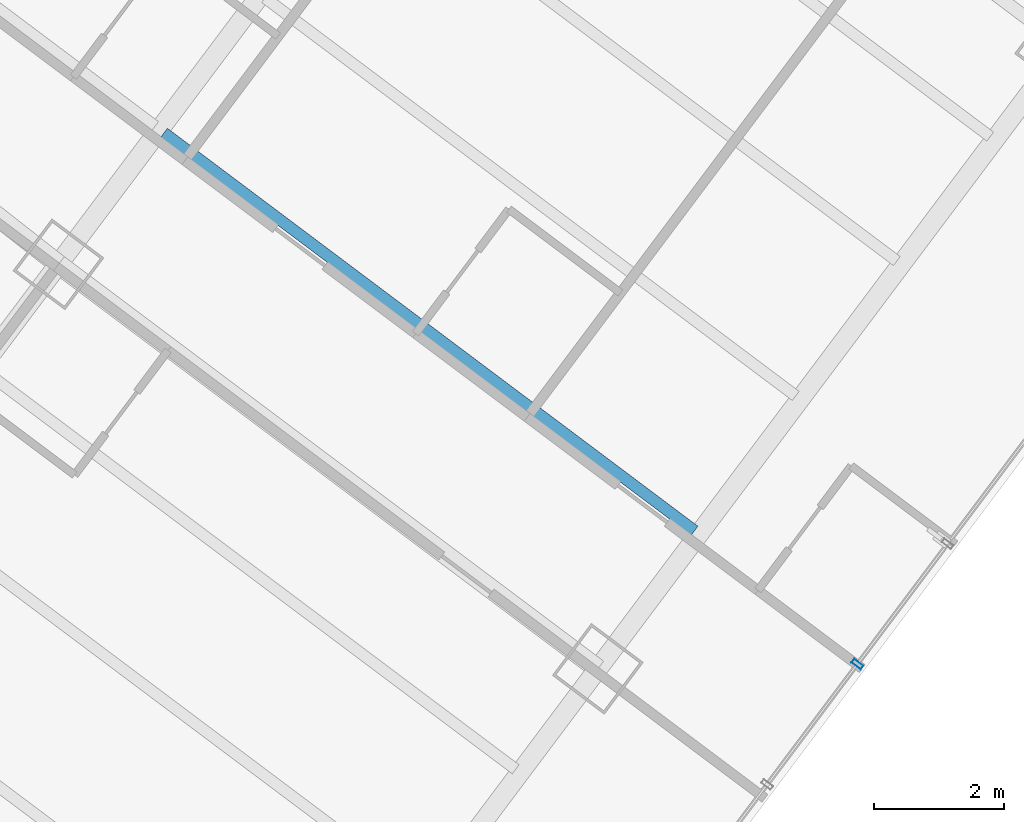
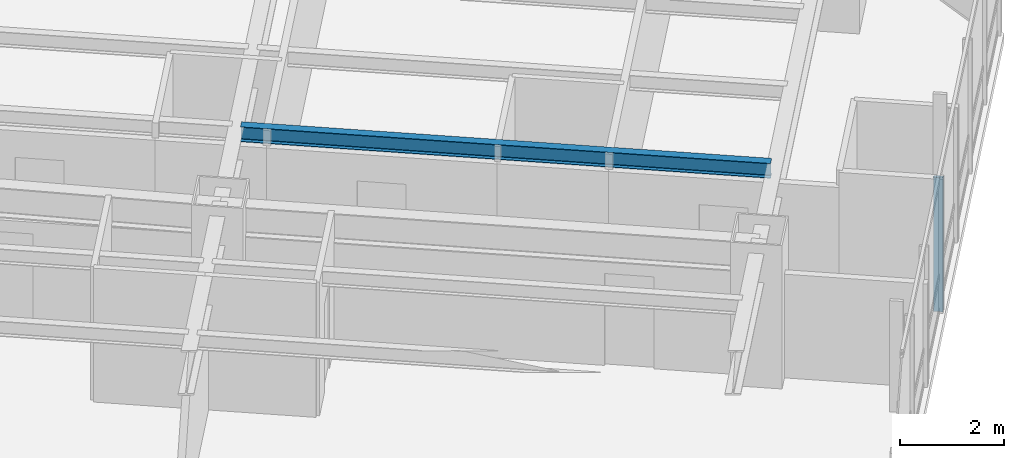
# One storey, part 10 of 37: 1 beam, 1 member, 1 element without a shape of its own.
"""IFC4 building model written with IfcOpenShell, lengths in metres."""

from ifc_helpers import new_model, si_unit, direction, frame, origin, origin_2d, place, context, subcontext, project, spatial, hollow_rectangle, i_section, extrude, material, layer, layer_set, material_profile, profile_set, type_object, element, aggregate, save


model = new_model("IFC4")

# Units and contexts
model_context = context("Model", 3, precision=1e-05, world=origin(), true_north=direction((0.0, 1.0)))
body_context = subcontext(model_context, "Body", "Model", "MODEL_VIEW")
ifc_project = project(units=[si_unit("LENGTHUNIT", "METRE"), si_unit("AREAUNIT", "SQUARE_METRE"), si_unit("VOLUMEUNIT", "CUBIC_METRE"), si_unit("PLANEANGLEUNIT", "RADIAN"), si_unit("MASSUNIT", "GRAM", prefix="KILO")], contexts=[model_context])

# Site, building, storey
site_placement = place(None, origin())
site = spatial("IfcSite", under=ifc_project, at=site_placement, CompositionType="ELEMENT")
building_placement = place(site_placement, origin())
building = spatial("IfcBuilding", under=site, at=building_placement, Name="Hatsunagi Terrace Concourse", CompositionType="ELEMENT")
storey_placement = place(building_placement, frame((0.0, 0.0, 39.949951171875)))
storey = spatial("IfcBuildingStorey", under=building, at=storey_placement, Name="L09", CompositionType="ELEMENT", Elevation=39.949951171875)

# Curtain wall, member
ifc_material_1 = material(Name="Anodised Aluminium Alloy 6063-T5", Category="aluminium")
ifc_layer = layer(ifc_material_1, 0.199951171875)
ifc_layer_set = layer_set([ifc_layer], Name="HotelFacade_CW02")
curtain_wall_type = type_object("IfcCurtainWallType", Name="HotelFacade_CW02", PredefinedType="NOTDEFINED", material=ifc_layer_set)
curtain_wall_placement = place(storey_placement, origin())
curtain_wall = element("IfcCurtainWall", 1, at=curtain_wall_placement, inside=storey, type_object=curtain_wall_type, Name="Unitised Curtain Wall CW-02 CW-L09-03", PredefinedType="NOTDEFINED")
ifc_material_2 = material(Name="Anodised Aluminium Alloy 6063-T5", Category="aluminium")
ifc_material_profile_1 = material_profile(ifc_material_2, hollow_rectangle(XDim=0.070068359375, YDim=0.179931640625, WallThickness=0.00390625, at=origin_2d()), Name="ALU-MUL-180x70x4")
ifc_profile_set_1 = profile_set([ifc_material_profile_1], Name="Anodised Aluminium Alloy 6063-T5")
member_type = type_object("IfcMemberType", Name="CurtainWallMullion_180x70", PredefinedType="MULLION", material=ifc_profile_set_1)
member_placement = place(storey_placement, frame((63.52392578125, 12.23193359375, 0.0), z_axis=(0.0, 0.0, 1.0), x_axis=(-0.599969314634, -0.800023013105, 0.0)))
member = element("IfcMember", 2, at=member_placement, type_object=member_type, Name="Curtain Wall Mullion MUL-02", PredefinedType="MULLION", context=body_context, shape_type="SweptSolid", body=[
    extrude(hollow_rectangle(XDim=0.070068359375, YDim=0.179931640625, WallThickness=0.00390625, at=origin_2d()), origin(), (0.0, 0.0, 1.0), 3.130126953125),
])
aggregate(curtain_wall, [member])

# Beam
ifc_material_3 = material(Name="Steel SN490B", Category="steel")
ifc_material_profile_2 = material_profile(ifc_material_3, i_section(OverallWidth=0.175048828125, OverallDepth=0.35009765625, WebThickness=0.007080078125, FlangeThickness=0.010986328125, FilletRadius=0.012939453125, at=origin_2d()), Name="H-350x175x7x11")
ifc_profile_set_2 = profile_set([ifc_material_profile_2], Name="Steel SN490B")
beam_type = type_object("IfcBeamType", Name="HotelJoist_H_350x175", PredefinedType="JOIST", material=ifc_profile_set_2)
beam_placement = place(storey_placement, frame((52.827880859375, 20.428955078125, 2.955078125), z_axis=(0.800005727586, -0.599992363142, 0.0), x_axis=(0.599992363142, 0.800005727586, 0.0)))
element("IfcBeam", 3, at=beam_placement, inside=storey, type_object=beam_type, Name="Beam J-02 J-L09-SE-3-142", PredefinedType="JOIST", context=body_context, shape_type="SweptSolid", body=[
    extrude(i_section(OverallWidth=0.175048828125, OverallDepth=0.35009765625, WebThickness=0.007080078125, FlangeThickness=0.010986328125, FilletRadius=0.012939453125, at=origin_2d()), origin(), (0.0, 0.0, 1.0), 10.22998046875),
])

save(model, "model.ifc")
